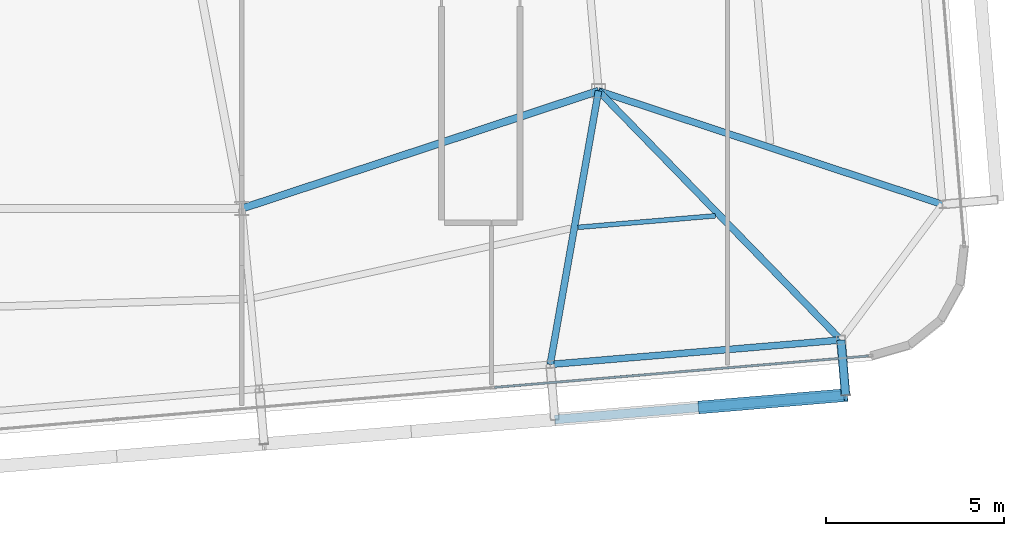
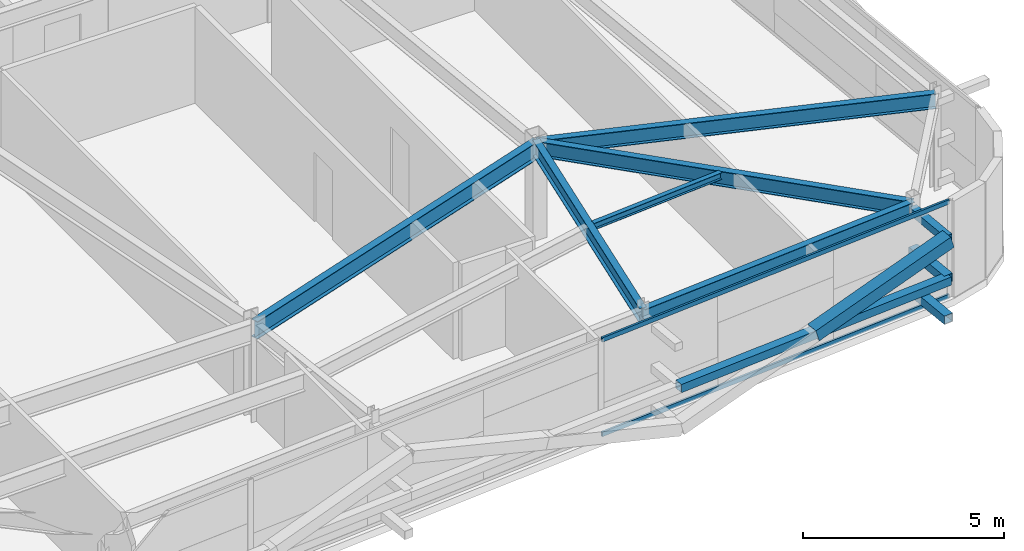
# One storey, part 17 of 39: 7 members, 6 beams, 1 element without a shape of its own.
"""IFC4 building model written with IfcOpenShell, lengths in metres."""

import ifcopenshell
import ifcopenshell.guid

model = None  # the IFC model being written
_history = None  # IfcOwnerHistory: only IFC2X3 demands one
_inside = {}  # id of a spatial element -> (the spatial element, [elements in it])
_under = {}  # id of a project, library or spatial element -> (it, [spatial elements below it])
_declared = {}  # id of a project -> (the project, [libraries it declares])
_typed = {}  # id of a type object -> (the type object, [elements of that type])
_made_of = {}  # id of a material, layer set ... -> (it, [elements and type objects made of it])


def new_model(schema):
    """Start an empty IFC model of exactly this schema.

    Asked for "IFC4X3", IfcOpenShell would pick the latest addendum, in which some entities
    have other attributes; the version numbers below select the first issue.
    IFC2X3 requires an IfcOwnerHistory on every rooted entity: one is made here for all.
    """
    global model, _history
    if schema == "IFC4X3":
        model = ifcopenshell.file(schema_version=(4, 3, 0, 0))
    else:
        model = ifcopenshell.file(schema=schema)
    _inside.clear()
    _under.clear()
    _declared.clear()
    _typed.clear()
    _made_of.clear()
    _history = None
    if model.schema == "IFC2X3":
        org = make("IfcOrganization", Name="unknown")
        user = make(
            "IfcPersonAndOrganization",
            ThePerson=make("IfcPerson", FamilyName="unknown"),
            TheOrganization=org,
        )
        app = make(
            "IfcApplication",
            ApplicationDeveloper=org,
            Version="unknown",
            ApplicationFullName="unknown",
            ApplicationIdentifier="unknown",
        )
        _history = make(
            "IfcOwnerHistory",
            OwningUser=user,
            OwningApplication=app,
            ChangeAction="ADDED",
            CreationDate=0,
        )
    return model


def make(cls, **values):
    """One entity of the class cls with the attributes given. An attribute that is None is left unset."""
    return model.create_entity(
        cls, **{name: value for name, value in values.items() if value is not None}
    )


def rooted(cls, **values):
    """An entity with a GlobalId (a new one), such as an element, a storey or a relation."""
    return make(cls, GlobalId=ifcopenshell.guid.new(), OwnerHistory=_history, **values)


def si_unit(unit_type, name, prefix=None):
    """IfcSIUnit, for example si_unit("LENGTHUNIT", "METRE", prefix="MILLI")."""
    return make("IfcSIUnit", UnitType=unit_type, Prefix=prefix, Name=name)


def assignment(units):
    """IfcUnitAssignment: the units of a project."""
    return None if units is None else make("IfcUnitAssignment", Units=units)


def point(xyz):
    """IfcCartesianPoint."""
    return None if xyz is None else make("IfcCartesianPoint", Coordinates=xyz)


def direction(xyz):
    """IfcDirection."""
    return None if xyz is None else make("IfcDirection", DirectionRatios=xyz)


def frame(location, z_axis=None, x_axis=None):
    """IfcAxis2Placement3D, a coordinate frame: its origin and axes. An axis left out is left unset."""
    return make(
        "IfcAxis2Placement3D",
        Location=point(location),
        Axis=direction(z_axis),
        RefDirection=direction(x_axis),
    )


def frame_2d(location, x_axis=None):
    """IfcAxis2Placement2D, a coordinate frame in the plane: its origin and x axis."""
    return make(
        "IfcAxis2Placement2D", Location=point(location), RefDirection=direction(x_axis)
    )


def origin():
    """The frame at (0, 0, 0) with its axes left unset."""
    return frame((0.0, 0.0, 0.0))


def origin_2d():
    """The frame at (0, 0) in the plane with its x axis left unset."""
    return frame_2d((0.0, 0.0))


def place(relative_to, where):
    """IfcLocalPlacement: puts the frame where relative to a parent placement (None: the world)."""
    return make(
        "IfcLocalPlacement", PlacementRelTo=relative_to, RelativePlacement=where
    )


def context(
    kind, dimensions, precision=None, world=None, true_north=None, identifier=None
):
    """IfcGeometricRepresentationContext, for example the 3D "Model" context."""
    return make(
        "IfcGeometricRepresentationContext",
        ContextIdentifier=identifier,
        ContextType=kind,
        CoordinateSpaceDimension=dimensions,
        Precision=precision,
        WorldCoordinateSystem=world,
        TrueNorth=true_north,
    )


def subcontext(parent, identifier, kind, view, scale=None):
    """IfcGeometricRepresentationSubContext, for example "Body" below "Model"."""
    return make(
        "IfcGeometricRepresentationSubContext",
        ContextIdentifier=identifier,
        ContextType=kind,
        ParentContext=parent,
        TargetScale=scale,
        TargetView=view,
    )


def project(units=None, contexts=None):
    """IfcProject with its units and contexts."""
    return rooted(
        "IfcProject",
        Name="project",
        RepresentationContexts=contexts,
        UnitsInContext=assignment(units),
    )


def spatial(cls, under=None, at=None, **own):
    """A site, building, storey or space (cls), placed at a placement, below another one or the project."""
    s = rooted(cls, ObjectPlacement=at, **own)
    if under is not None:
        _under.setdefault(under.id(), (under, []))[1].append(s)
    return s


def profile(cls, at=None, kind="AREA", **sizes):
    """A parametric profile (cls). Its sizes go by their IFC names, for example OverallWidth=200.0."""
    return make(cls, ProfileType=kind, Position=at, **sizes)


def hollow_rectangle(**sizes):
    """IfcRectangleHollowProfileDef."""
    return profile("IfcRectangleHollowProfileDef", **sizes)


def i_section(**sizes):
    """IfcIShapeProfileDef."""
    return profile("IfcIShapeProfileDef", **sizes)


def extrude(swept, where, along, depth):
    """IfcExtrudedAreaSolid: the profile swept, set in the frame where, extruded along a direction by depth."""
    return make(
        "IfcExtrudedAreaSolid",
        SweptArea=swept,
        Position=where,
        ExtrudedDirection=direction(along),
        Depth=depth,
    )


def shape(context_of_items, identifier, shape_type, items):
    """IfcShapeRepresentation: the items that make up one representation, for example the "Body"."""
    return make(
        "IfcShapeRepresentation",
        ContextOfItems=context_of_items,
        RepresentationIdentifier=identifier,
        RepresentationType=shape_type,
        Items=items,
    )


def source(mapping_origin, context_of_items, identifier, shape_type, items):
    """IfcRepresentationMap: a shape defined once, which mapped items show again and again."""
    return make(
        "IfcRepresentationMap",
        MappingOrigin=mapping_origin,
        MappedRepresentation=shape(context_of_items, identifier, shape_type, items),
    )


def transform(
    local_origin,
    x_axis=None,
    y_axis=None,
    z_axis=None,
    scale=None,
    scale2=None,
    scale3=None,
    uniform=True,
):
    """IfcCartesianTransformationOperator3D, or its non-uniform kind. x_axis, y_axis, z_axis: its Axis1, 2, 3."""
    if uniform:
        return make(
            "IfcCartesianTransformationOperator3D",
            Axis1=direction(x_axis),
            Axis2=direction(y_axis),
            LocalOrigin=point(local_origin),
            Scale=scale,
            Axis3=direction(z_axis),
        )
    return make(
        "IfcCartesianTransformationOperator3DnonUniform",
        Axis1=direction(x_axis),
        Axis2=direction(y_axis),
        LocalOrigin=point(local_origin),
        Scale=scale,
        Axis3=direction(z_axis),
        Scale2=scale2,
        Scale3=scale3,
    )


def mapped(mapping_source, mapping_target):
    """IfcMappedItem: shows the shape of a source again, moved by a transform."""
    return make(
        "IfcMappedItem", MappingSource=mapping_source, MappingTarget=mapping_target
    )


def material(Name=None, Category=None):
    """IfcMaterial."""
    return make("IfcMaterial", Name=Name, Category=Category)


def layer(
    of_material, thickness, ventilated=None, Name=None, Category=None, Priority=None
):
    """IfcMaterialLayer: one layer of a wall or slab, of a material (None: an air gap)."""
    return make(
        "IfcMaterialLayer",
        Material=of_material,
        LayerThickness=thickness,
        IsVentilated=ventilated,
        Name=Name,
        Category=Category,
        Priority=Priority,
    )


def layer_set(layers, Name=None):
    """IfcMaterialLayerSet."""
    return make("IfcMaterialLayerSet", MaterialLayers=layers, LayerSetName=Name)


def material_profile(
    of_material, cross_section, Name=None, Category=None, Priority=None
):
    """IfcMaterialProfile: a cross section and its material."""
    return make(
        "IfcMaterialProfile",
        Name=Name,
        Material=of_material,
        Profile=cross_section,
        Priority=Priority,
        Category=Category,
    )


def profile_set(profiles, Name=None, composite=None):
    """IfcMaterialProfileSet."""
    return make(
        "IfcMaterialProfileSet",
        Name=Name,
        MaterialProfiles=profiles,
        CompositeProfile=composite,
    )


def made_of(thing, what):
    """Note that an element or type object is made of a material, layer set ...; save() writes the relation."""
    if what is not None:
        _made_of.setdefault(what.id(), (what, []))[1].append(thing)
    return thing


def type_object(cls, material=None, **own):
    """A type object (cls), such as IfcWallType, which elements share."""
    return made_of(rooted(cls, **own), material)


def element(
    cls,
    number,
    at=None,
    inside=None,
    cuts=None,
    type_object=None,
    material=None,
    context=None,
    identifier="Body",
    shape_type=None,
    held_by="IfcProductDefinitionShape",
    body=None,
    shapes=None,
    **own,
):
    """One element of the class cls, such as IfcWall. Its Tag is "e" and its number.

    at: its placement. inside: the storey or other place that contains it. cuts: it is an
    opening in that element (IfcRelVoidsElement). A single representation is given by context,
    identifier, shape_type and body (its items); several are given by shapes. held_by: the class
    of the entity that holds the representations. save() writes the other relations.
    """
    e = rooted(cls, Tag="e%d" % number, ObjectPlacement=at, **own)
    if body is not None:
        shapes = [shape(context, identifier, shape_type, body)]
    if shapes is not None:
        e.Representation = make(held_by, Representations=shapes)
    if inside is not None:
        _inside.setdefault(inside.id(), (inside, []))[1].append(e)
    if cuts is not None:
        rooted(
            "IfcRelVoidsElement", RelatingBuildingElement=cuts, RelatedOpeningElement=e
        )
    if type_object is not None:
        _typed.setdefault(type_object.id(), (type_object, []))[1].append(e)
    return made_of(e, material)


def aggregate(whole, parts):
    """IfcRelAggregates: a whole, such as a stair, and the parts it consists of."""
    return rooted("IfcRelAggregates", RelatingObject=whole, RelatedObjects=parts)


def save(model, path):
    """Write the relations noted so far, then the file.

    IfcRelAggregates (storeys below a building ...), IfcRelContainedInSpatialStructure (elements
    in a storey), IfcRelDefinesByType, IfcRelAssociatesMaterial and IfcRelDeclares: one each for
    every whole, place, type object, material and project.
    """
    for whole, parts in _under.values():
        aggregate(whole, parts)
    for where, things in _inside.values():
        rooted(
            "IfcRelContainedInSpatialStructure",
            RelatedElements=things,
            RelatingStructure=where,
        )
    for kind, things in _typed.values():
        rooted("IfcRelDefinesByType", RelatedObjects=things, RelatingType=kind)
    for what, things in _made_of.values():
        rooted("IfcRelAssociatesMaterial", RelatedObjects=things, RelatingMaterial=what)
    for by, libraries in _declared.values():
        rooted("IfcRelDeclares", RelatingContext=by, RelatedDefinitions=libraries)
    model.write(path)


model = new_model("IFC4")

# Units and contexts
model_context = context("Model", 3, precision=1e-05, world=origin(), true_north=direction((0.0, 1.0)))
body_context = subcontext(model_context, "Body", "Model", "MODEL_VIEW")
ifc_project = project(units=[si_unit("LENGTHUNIT", "METRE"), si_unit("AREAUNIT", "SQUARE_METRE"), si_unit("VOLUMEUNIT", "CUBIC_METRE"), si_unit("PLANEANGLEUNIT", "RADIAN"), si_unit("MASSUNIT", "GRAM", prefix="KILO")], contexts=[model_context])

# Site, building, storey
site_placement = place(None, origin())
site = spatial("IfcSite", under=ifc_project, at=site_placement, CompositionType="ELEMENT")
building_placement = place(site_placement, origin())
building = spatial("IfcBuilding", under=site, at=building_placement, Name="Taldren Reach Tower", CompositionType="ELEMENT")
storey_placement = place(building_placement, frame((0.0, 0.0, 178.85009765625)))
storey = spatial("IfcBuildingStorey", under=building, at=storey_placement, Name="L54", CompositionType="ELEMENT", Elevation=178.85009765625)

# Beam
ifc_material_1 = material(Name="Steel Gr 350 (350PLUS)", Category="steel")
ifc_material_profile_1 = material_profile(ifc_material_1, i_section(OverallWidth=0.208984375, OverallDepth=0.532958984375, WebThickness=0.01025390625, FlangeThickness=0.015625, at=origin_2d()), Name="530UB92.4")
ifc_profile_set_1 = profile_set([ifc_material_profile_1], Name="Steel Gr 350 (350PLUS)")
beam_type_1 = type_object("IfcBeamType", Name="BM-UB530A", PredefinedType="BEAM", material=ifc_profile_set_1)
shared_shape_1 = source(origin(), body_context, "Body", "SweptSolid", [
    extrude(i_section(OverallWidth=0.208984375, OverallDepth=0.532958984375, WebThickness=0.01025390625, FlangeThickness=0.015625, at=origin_2d()), origin(), (0.0, 0.0, 1.0), 10.530517578125),
])
beam_1_placement = place(storey_placement, frame((42.0, 9.199951171875, 2.663330078125), z_axis=(0.949627269203, 0.313381635689, 0.0), x_axis=(-0.313381635689, 0.949627269203, 0.0)))
element("IfcBeam", 1, at=beam_1_placement, inside=storey, type_object=beam_type_1, Name="Core-spine girder L54-SP12", PredefinedType="BEAM", context=body_context, shape_type="MappedRepresentation", body=[
    mapped(shared_shape_1, transform((0.0, 0.0, 0.0), scale=1.0)),
])

# Members
ifc_material_2 = material(Name="Steel Gr 350 (C350L0)", Category="steel")
ifc_material_profile_2 = material_profile(ifc_material_2, hollow_rectangle(XDim=0.25, YDim=0.25, WallThickness=0.010009765625, at=origin_2d()), Name="250x250x10.0SHS")
ifc_profile_set_2 = profile_set([ifc_material_profile_2], Name="Steel Gr 350 (C350L0)")
member_type_1 = type_object("IfcMemberType", Name="MB-POST250", PredefinedType="POST", material=ifc_profile_set_2)
shared_shape_2 = source(origin(), body_context, "Body", "SweptSolid", [
    extrude(hollow_rectangle(XDim=0.25, YDim=0.25, WallThickness=0.010009765625, at=origin_2d()), origin(), (0.0, 0.0, 1.0), 1.5498046875),
])
for number, where, z_axis, x_axis, name in (
    (2, (58.796142578125, 5.516357421875, 0.219970703125), (0.083801560254, -0.996482462715, 0.0), (0.996482462715, 0.083801560254, 0.0), "Exoskeleton base diaphragm tie strut B4-S6 L54"),
    (3, (58.796142578125, 5.516357421875, 1.434814453125), (0.083801560254, -0.996482462715, 0.0), (0.996482462715, 0.083801560254, 0.0), "Exoskeleton mid-tier diaphragm tie B4-S6 L54"),
):
    element("IfcMember", number, at=place(storey_placement, frame(where, z_axis=z_axis, x_axis=x_axis)), inside=storey, type_object=member_type_1, Name=name, PredefinedType="POST", context=body_context, shape_type="MappedRepresentation", body=[
        mapped(shared_shape_2, transform((0.0, 0.0, 0.0), scale=1.0)),
    ])

# Beams
ifc_material_profile_3 = material_profile(ifc_material_1, i_section(OverallWidth=0.18994140625, OverallDepth=0.4541015625, WebThickness=0.008544921875, FlangeThickness=0.0126953125, at=origin_2d()), Name="460UB67.1")
ifc_profile_set_3 = profile_set([ifc_material_profile_3], Name="Steel Gr 350 (350PLUS)")
beam_type_2 = type_object("IfcBeamType", Name="SP-UB460B", PredefinedType="SPANDREL", material=ifc_profile_set_3)
shared_shape_3 = source(origin(), body_context, "Body", "SweptSolid", [
    extrude(i_section(OverallWidth=0.18994140625, OverallDepth=0.4541015625, WebThickness=0.008544921875, FlangeThickness=0.0126953125, at=origin_2d()), origin(), (0.0, 0.0, 1.0), 8.179931640625),
])
beam_2_placement = place(storey_placement, frame((50.644775390625, 4.83203125, 2.702880859375), z_axis=(0.996494523218, 0.083658025296, 0.0), x_axis=(-0.083658025296, 0.996494523218, 0.0)))
element("IfcBeam", 4, at=beam_2_placement, inside=storey, type_object=beam_type_2, Name="Perimeter spandrel B4 S5-S6 L54", PredefinedType="SPANDREL", context=body_context, shape_type="MappedRepresentation", body=[
    mapped(shared_shape_3, transform((0.0, 0.0, 0.0), scale=1.0)),
])
ifc_material_profile_4 = material_profile(ifc_material_1, i_section(OverallWidth=0.19091796875, OverallDepth=0.4599609375, WebThickness=0.010009765625, FlangeThickness=0.01611328125, at=origin_2d()), Name="460UB82.1")
ifc_profile_set_4 = profile_set([ifc_material_profile_4], Name="Steel Gr 350 (350PLUS)")
beam_type_3 = type_object("IfcBeamType", Name="BM-UB460A", PredefinedType="BEAM", material=ifc_profile_set_4)
shared_shape_4 = source(origin(), body_context, "Body", "SweptSolid", [
    extrude(i_section(OverallWidth=0.19091796875, OverallDepth=0.4599609375, WebThickness=0.010009765625, FlangeThickness=0.01611328125, at=origin_2d()), origin(), (0.0, 0.0, 1.0), 7.786865234375),
])
beam_3_placement = place(storey_placement, frame((52.0, 12.5, 2.699951171875), z_axis=(-0.174041097858, -0.984738389755, 0.0), x_axis=(0.984738389755, -0.174041097858, 0.0)))
element("IfcBeam", 5, at=beam_3_placement, inside=storey, type_object=beam_type_3, Name="Primary floor girder B4-S5 L54", PredefinedType="BEAM", context=body_context, shape_type="MappedRepresentation", body=[
    mapped(shared_shape_4, transform((0.0, 0.0, 0.0), scale=1.0)),
])
shared_shape_5 = source(origin(), body_context, "Body", "SweptSolid", [
    extrude(i_section(OverallWidth=0.19091796875, OverallDepth=0.4599609375, WebThickness=0.010009765625, FlangeThickness=0.01611328125, at=origin_2d()), origin(), (0.0, 0.0, 1.0), 9.74462890625),
])
beam_4_placement = place(storey_placement, frame((52.0, 12.5, 2.699951171875), z_axis=(0.697420698235, -0.716661963323, 0.0), x_axis=(0.716661963323, 0.697420698235, 0.0)))
element("IfcBeam", 6, at=beam_4_placement, inside=storey, type_object=beam_type_3, Name="Primary floor girder B4-S6 L54", PredefinedType="BEAM", context=body_context, shape_type="MappedRepresentation", body=[
    mapped(shared_shape_5, transform((0.0, 0.0, 0.0), scale=1.0)),
])
shared_shape_6 = source(origin(), body_context, "Body", "SweptSolid", [
    extrude(i_section(OverallWidth=0.19091796875, OverallDepth=0.4599609375, WebThickness=0.010009765625, FlangeThickness=0.01611328125, at=origin_2d()), origin(), (0.0, 0.0, 1.0), 10.14990234375),
])
beam_5_placement = place(storey_placement, frame((52.0, 12.5, 2.699951171875), z_axis=(0.949576668396, -0.313534927619, 0.0), x_axis=(0.313534927619, 0.949576668396, 0.0)))
element("IfcBeam", 7, at=beam_5_placement, inside=storey, type_object=beam_type_3, Name="Primary floor girder B4-E1 L54", PredefinedType="BEAM", context=body_context, shape_type="MappedRepresentation", body=[
    mapped(shared_shape_6, transform((0.0, 0.0, 0.0), scale=1.0)),
])
ifc_material_3 = material(Name="Steel Gr 300 (300PLUS, 300 MPa)", Category="steel")
ifc_material_profile_5 = material_profile(ifc_material_3, i_section(OverallWidth=0.134033203125, OverallDepth=0.20703125, WebThickness=0.00634765625, FlangeThickness=0.009521484375, at=origin_2d()), Name="200UB29.8")
ifc_profile_set_5 = profile_set([ifc_material_profile_5], Name="Steel Gr 300 (300PLUS, 300 MPa)")
beam_type_4 = type_object("IfcBeamType", Name="JS-UB200", PredefinedType="JOIST", material=ifc_profile_set_5)
shared_shape_7 = source(origin(), body_context, "Body", "SweptSolid", [
    extrude(i_section(OverallWidth=0.134033203125, OverallDepth=0.20703125, WebThickness=0.00634765625, FlangeThickness=0.009521484375, at=origin_2d()), origin(), (0.0, 0.0, 1.0), 3.86767578125),
])
beam_6_placement = place(storey_placement, frame((51.4208984375, 8.67431640625, 2.826416015625), z_axis=(0.996495950743, 0.083641019557, 0.0), x_axis=(-0.083641019557, 0.996495950743, 0.0)))
element("IfcBeam", 8, at=beam_6_placement, inside=storey, type_object=beam_type_4, Name="Secondary floor joist B4 J5 L54", PredefinedType="JOIST", context=body_context, shape_type="MappedRepresentation", body=[
    mapped(shared_shape_7, transform((0.0, 0.0, 0.0), scale=1.0)),
])

# Members
ifc_material_4 = material(Name="Steel Gr 450 (C450L0)", Category="steel")
ifc_material_profile_6 = material_profile(ifc_material_4, hollow_rectangle(XDim=0.219970703125, YDim=0.219970703125, WallThickness=0.00830078125, at=origin_2d()), Name="220x220x8.2SHS")
ifc_profile_set_6 = profile_set([ifc_material_profile_6], Name="Steel Gr 450 (C450L0)")
member_type_2 = type_object("IfcMemberType", Name="MB-TIE219", PredefinedType="STRUT", material=ifc_profile_set_6)
shared_shape_8 = source(origin(), body_context, "Body", "SweptSolid", [
    extrude(hollow_rectangle(XDim=0.219970703125, YDim=0.219970703125, WallThickness=0.00830078125, at=origin_2d()), origin(), (0.0, 0.0, 1.0), 1.5498046875),
])
member_1_placement = place(storey_placement, frame((58.796142578125, 5.516357421875, 2.64990234375), z_axis=(0.083801560254, -0.996482462715, 0.0), x_axis=(0.996482462715, 0.083801560254, 0.0)))
element("IfcMember", 9, at=member_1_placement, inside=storey, type_object=member_type_2, Name="Exoskeleton diaphragm tie strut B4-S6 L54", PredefinedType="STRUT", context=body_context, shape_type="MappedRepresentation", body=[
    mapped(shared_shape_8, transform((0.0, 0.0, 0.0), scale=1.0)),
])
shared_shape_9 = source(origin(), body_context, "Body", "SweptSolid", [
    extrude(hollow_rectangle(XDim=0.25, YDim=0.25, WallThickness=0.010009765625, at=origin_2d()), origin(), (0.0, 0.0, 1.0), 8.18017578125),
])
member_2_placement = place(storey_placement, frame((50.774658203125, 3.287353515625, 1.434814453125), z_axis=(0.996492034688, 0.083687662192, 0.0), x_axis=(-0.083687662192, 0.996492034688, 0.0)))
element("IfcMember", 10, at=member_2_placement, inside=storey, type_object=member_type_1, Name="Exoskeleton mid-height ring chord B4-S5 L54", PredefinedType="POST", context=body_context, shape_type="MappedRepresentation", body=[
    mapped(shared_shape_9, transform((0.0, 0.0, 0.0), scale=1.0)),
])
ifc_material_profile_7 = material_profile(ifc_material_4, hollow_rectangle(XDim=0.360107421875, YDim=0.360107421875, WallThickness=0.0126953125, at=origin_2d()), Name="360x360x12.7SHS")
ifc_profile_set_7 = profile_set([ifc_material_profile_7], Name="Steel Gr 450 (C450L0)")
member_type_3 = type_object("IfcMemberType", Name="MB-EXO356", PredefinedType="BRACE", material=ifc_profile_set_7)
shared_shape_10 = source(origin(), body_context, "Body", "SweptSolid", [
    extrude(hollow_rectangle(XDim=0.360107421875, YDim=0.360107421875, WallThickness=0.0126953125, at=origin_2d()), origin(), (0.0, 0.0, 1.0), 4.2666015625),
])
member_3_placement = place(storey_placement, frame((54.850341796875, 3.629638671875, 1.434814453125), z_axis=(0.955229159097, 0.080222312271, 0.284783486572), x_axis=(-0.083687662192, 0.996492034688, 0.0)))
element("IfcMember", 11, at=member_3_placement, inside=storey, type_object=member_type_3, Name="Exoskeleton Diagrid Brace B4-S5 L54", PredefinedType="BRACE", context=body_context, shape_type="MappedRepresentation", body=[
    mapped(shared_shape_10, transform((0.0, 0.0, 0.0), scale=1.0)),
])

# Curtain wall, members
ifc_material_5 = material(Name="Aluminium and Low-E Glass Unitised System", Category="aluminium")
ifc_layer = layer(ifc_material_5, 0.159912109375)
ifc_layer_set = layer_set([ifc_layer], Name="Aluminium and Low-E Glass Unitised System")
curtain_wall_type = type_object("IfcCurtainWallType", Name="CW-SYS-5", PredefinedType="NOTDEFINED", material=ifc_layer_set)
curtain_wall_placement = place(storey_placement, origin())
curtain_wall = element("IfcCurtainWall", 12, at=curtain_wall_placement, inside=storey, type_object=curtain_wall_type, Name="Unitised curtain wall CW-L54-S", PredefinedType="NOTDEFINED")
ifc_material_6 = material(Name="Anodised Aluminium 6063-T6", Category="aluminium")
ifc_material_profile_8 = material_profile(ifc_material_6, hollow_rectangle(XDim=0.06005859375, YDim=0.135009765625, WallThickness=0.00341796875, at=origin_2d()), Name="ALU-135x60x3.5RHS")
ifc_profile_set_8 = profile_set([ifc_material_profile_8], Name="Anodised Aluminium 6063-T6")
member_type_4 = type_object("IfcMemberType", Name="CW-TRN-150", PredefinedType="USERDEFINED", material=ifc_profile_set_8)
shared_shape_11 = source(origin(), body_context, "Body", "SweptSolid", [
    extrude(hollow_rectangle(XDim=0.06005859375, YDim=0.135009765625, WallThickness=0.00341796875, at=origin_2d()), origin(), (0.0, 0.0, 1.0), 10.52001953125),
])
member_4_placement = place(storey_placement, frame((49.083251953125, 4.18896484375, 0.02978515625), z_axis=(0.996492256575, 0.08368502008, 0.0), x_axis=(-0.08368502008, 0.996492256575, 0.0)))
member_4 = element("IfcMember", 13, at=member_4_placement, type_object=member_type_4, Name="CW-5 transom 4.1", ObjectType="TRANSOM", PredefinedType="USERDEFINED", context=body_context, shape_type="MappedRepresentation", body=[
    mapped(shared_shape_11, transform((0.0, 0.0, 0.0), scale=1.0)),
])
member_5_placement = place(storey_placement, frame((49.083251953125, 4.18896484375, 2.89990234375), z_axis=(0.996492256575, 0.08368502008, 0.0), x_axis=(-0.08368502008, 0.996492256575, 0.0)))
member_5 = element("IfcMember", 14, at=member_5_placement, type_object=member_type_4, Name="CW-5 transom 4.2", ObjectType="TRANSOM", PredefinedType="USERDEFINED", context=body_context, shape_type="MappedRepresentation", body=[
    mapped(shared_shape_11, transform((0.0, 0.0, 0.0), scale=1.0)),
])
aggregate(curtain_wall, [member_4, member_5])

save(model, "model.ifc")
